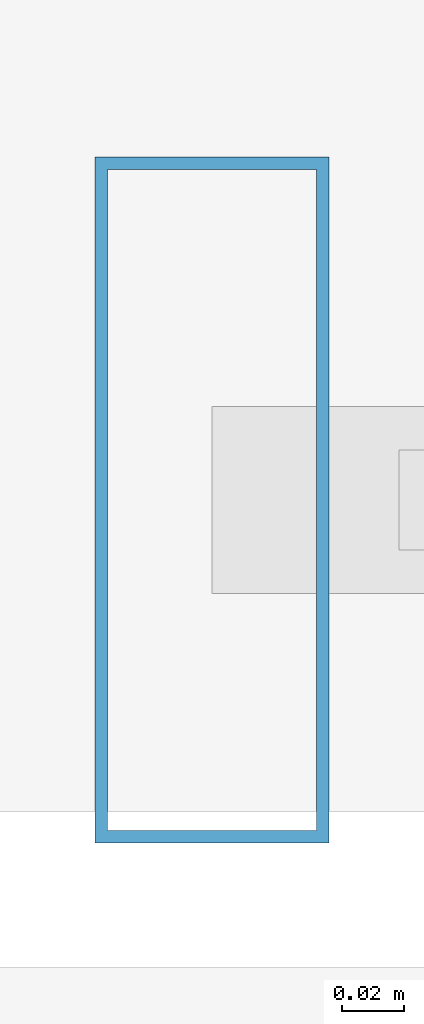
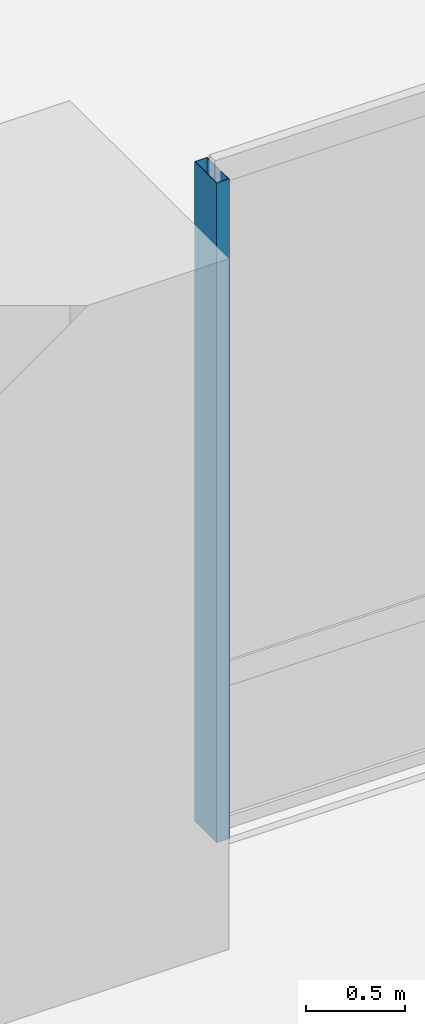
# One storey, part 7 of 18: 1 member, 1 element without a shape of its own.
"""IFC4 building model written with IfcOpenShell, lengths in metres."""

from ifc_helpers import new_model, si_unit, direction, frame, origin, origin_2d, place, context, subcontext, project, spatial, hollow_rectangle, extrude, source, transform, mapped, material, layer, layer_set, material_profile, profile_set, type_object, element, aggregate, save


model = new_model("IFC4")

# Units and contexts
model_context = context("Model", 3, precision=1e-05, world=origin(), true_north=direction((0.0, 1.0)))
body_context = subcontext(model_context, "Body", "Model", "MODEL_VIEW")
ifc_project = project(units=[si_unit("LENGTHUNIT", "METRE"), si_unit("AREAUNIT", "SQUARE_METRE"), si_unit("VOLUMEUNIT", "CUBIC_METRE"), si_unit("PLANEANGLEUNIT", "RADIAN"), si_unit("MASSUNIT", "GRAM", prefix="KILO")], contexts=[model_context])

# Site, building, storey
site_placement = place(None, origin())
site = spatial("IfcSite", under=ifc_project, at=site_placement, CompositionType="ELEMENT")
building_placement = place(site_placement, origin())
building = spatial("IfcBuilding", under=site, at=building_placement, Name="Kharzan Plaza Tower", CompositionType="ELEMENT")
storey_placement = place(building_placement, frame((0.0, 0.0, -4.5)))
storey = spatial("IfcBuildingStorey", under=building, at=storey_placement, Name="B01", CompositionType="ELEMENT", Elevation=-4.5)

# Curtain wall, member
ifc_material_1 = material(Name="Unitised Bronze-Anodized Aluminium and Low-E Glass", Category="aluminium")
ifc_layer = layer(ifc_material_1, 0.199951171875)
ifc_layer_set = layer_set([ifc_layer], Name="Unitised Bronze-Anodized Aluminium and Low-E Glass")
curtain_wall_type = type_object("IfcCurtainWallType", Name="CW-PLAZA-2", PredefinedType="NOTDEFINED", material=ifc_layer_set)
curtain_wall_placement = place(storey_placement, origin())
curtain_wall = element("IfcCurtainWall", 1, at=curtain_wall_placement, inside=storey, type_object=curtain_wall_type, Name="B01 Oculus Courtyard Ring Curtain Wall S", PredefinedType="NOTDEFINED")
ifc_material_2 = material(Name="Anodized Bronze Aluminium", Category="aluminium")
ifc_material_profile = material_profile(ifc_material_2, hollow_rectangle(XDim=0.074951171875, YDim=0.219970703125, WallThickness=0.00390625, at=origin_2d()), Name="ALU-M220x75x4")
ifc_profile_set = profile_set([ifc_material_profile], Name="Anodized Bronze Aluminium")
member_type = type_object("IfcMemberType", Name="MEM-CW-MUL200", PredefinedType="MULLION", material=ifc_profile_set)
shared_shape = source(origin(), body_context, "Body", "SweptSolid", [
    extrude(hollow_rectangle(XDim=0.074951171875, YDim=0.219970703125, WallThickness=0.00390625, at=origin_2d()), origin(), (0.0, 0.0, 1.0), 4.050048828125),
])
member_placement = place(storey_placement, frame((39.25, 31.14990234375, 0.0), z_axis=(0.0, 0.0, 1.0), x_axis=(1.0, 0.0, 0.0)))
member = element("IfcMember", 2, at=member_placement, type_object=member_type, Name="B01 Curtain-Wall Mullion 00", PredefinedType="MULLION", context=body_context, shape_type="MappedRepresentation", body=[
    mapped(shared_shape, transform((0.0, 0.0, 0.0), x_axis=(1.0, 0.0, 0.0), y_axis=(0.0, 1.0, 0.0), z_axis=(0.0, 0.0, 1.0))),
])
aggregate(curtain_wall, [member])

save(model, "model.ifc")
